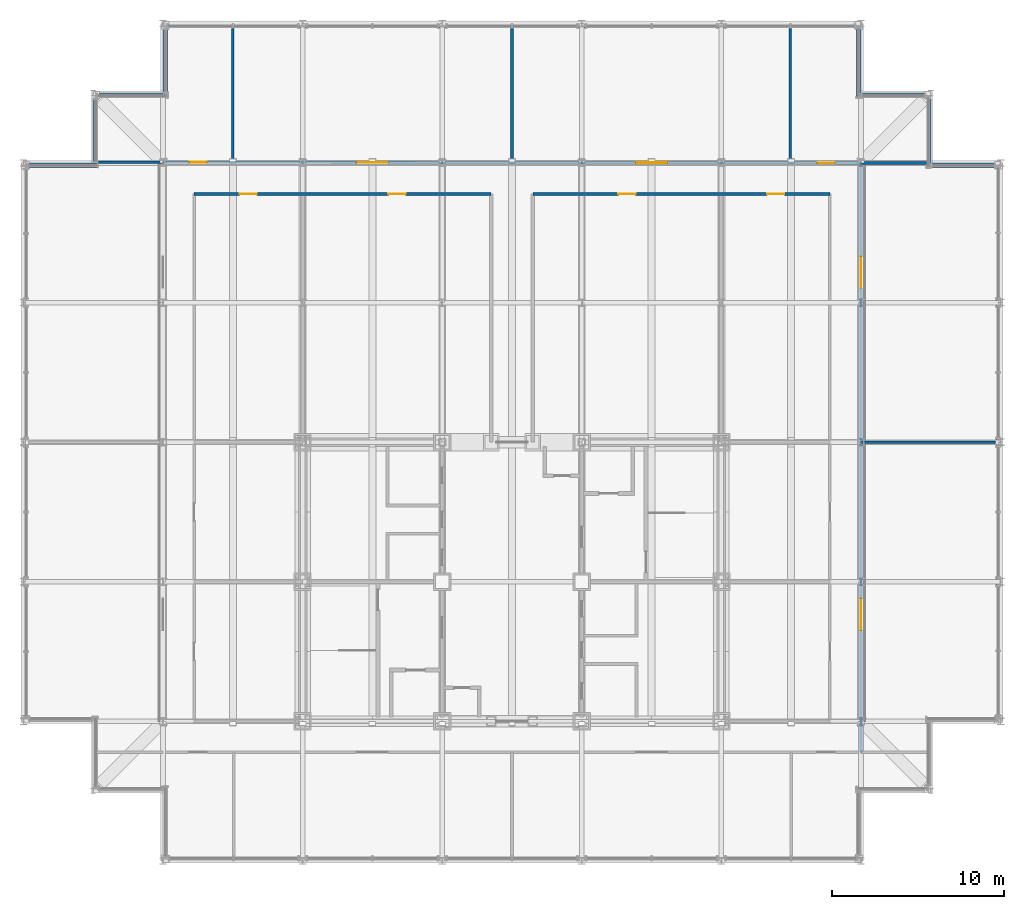
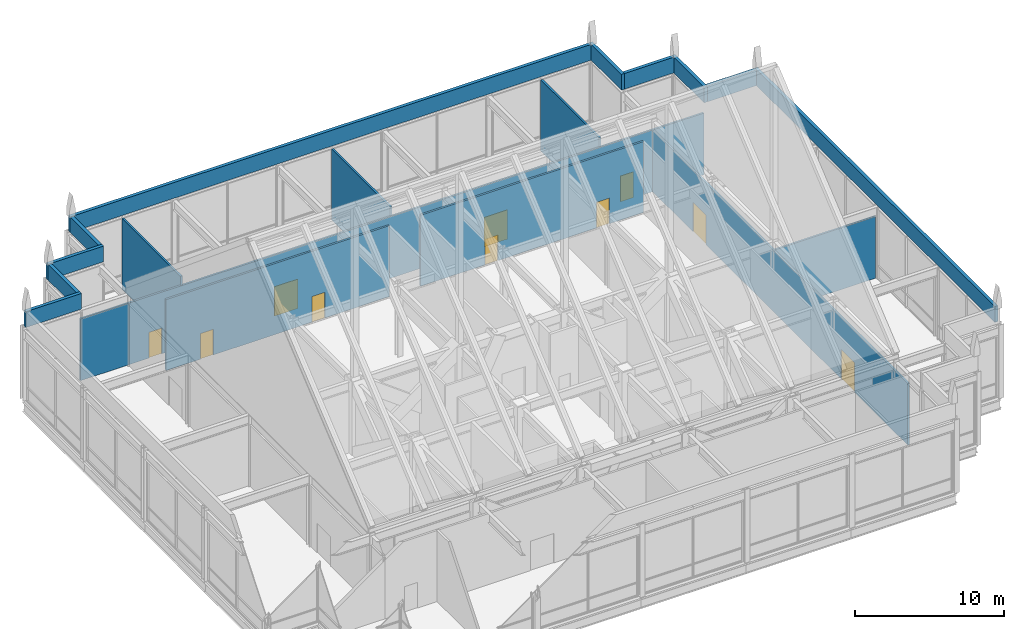
# One storey, part 21 of 22: 20 walls, 10 doors, 10 openings.
"""IFC4 building model written with IfcOpenShell, lengths in metres."""

from ifc_helpers import new_model, si_unit, direction, frame, frame_2d, origin, place, context, subcontext, project, spatial, rectangle, extrude, material, layer, layer_set, type_object, element, fill, save


model = new_model("IFC4")

# Units and contexts
model_context = context("Model", 3, precision=1e-05, world=origin(), true_north=direction((0.0, 1.0)))
body_context = subcontext(model_context, "Body", "Model", "MODEL_VIEW")
ifc_project = project(units=[si_unit("LENGTHUNIT", "METRE"), si_unit("AREAUNIT", "SQUARE_METRE"), si_unit("VOLUMEUNIT", "CUBIC_METRE"), si_unit("PLANEANGLEUNIT", "RADIAN"), si_unit("MASSUNIT", "GRAM", prefix="KILO")], contexts=[model_context])

# Site, building, storey
site_placement = place(None, origin())
site = spatial("IfcSite", under=ifc_project, at=site_placement, CompositionType="ELEMENT")
building_placement = place(site_placement, origin())
building = spatial("IfcBuilding", under=site, at=building_placement, Name="Kopane Lantern Tower", CompositionType="ELEMENT")
storey_placement = place(building_placement, frame((0.0, 0.0, 303.89990234375)))
storey = spatial("IfcBuildingStorey", under=building, at=storey_placement, Name="L77", CompositionType="ELEMENT", Elevation=303.89990234375)

# Wall, openings, doors
ifc_material_1 = material(Name="Gypsum board on steel studs", Category="steel")
ifc_layer_1 = layer(ifc_material_1, 0.14990234375)
ifc_layer_set_1 = layer_set([ifc_layer_1], Name="CORRIDOR WALL 150 EI 60")
wall_type_1 = type_object("IfcWallType", Name="CORRIDOR WALL 150 EI 60", PredefinedType="PARTITIONING", material=ifc_layer_set_1)
wall_1_placement = place(storey_placement, frame((8.10009765625, 56.739990234375, 0.0), z_axis=(0.0, 0.0, 1.0), x_axis=(0.999999511317, -0.000988618344, 0.0)))
wall_1 = element("IfcWall", 1, at=wall_1_placement, inside=storey, type_object=wall_type_1, Name="Corridor Wall 150 Ei 60 L77", PredefinedType="PARTITIONING", context=body_context, shape_type="SweptSolid", body=[
    extrude(rectangle(XDim=40.5, YDim=0.14990234375, at=frame_2d((20.25, 0.0))), origin(), (0.0, 0.0, 1.0), 5.037841796875),
])
opening_1_placement = place(wall_1_placement, frame((11.25, 0.0, 0.0)))
opening_1 = element("IfcOpeningElement", 2, at=opening_1_placement, cuts=wall_1, Name="Opening L77-011", PredefinedType="OPENING", context=body_context, shape_type="SweptSolid", body=[
    extrude(rectangle(XDim=1.800048828125, YDim=2.39990234375, at=frame_2d((0.89990234375, 1.199951171875))), frame((0.0, 0.0849609375, 0.0), z_axis=(0.0, -1.0, 0.0), x_axis=(1.0, 0.0, 0.0)), (0.0, 0.0, 1.0), 0.169921875),
])
opening_2_placement = place(wall_1_placement, frame((27.449951171875, 0.0, 0.0)))
opening_2 = element("IfcOpeningElement", 3, at=opening_2_placement, cuts=wall_1, Name="Opening L77-012", PredefinedType="OPENING", context=body_context, shape_type="SweptSolid", body=[
    extrude(rectangle(XDim=1.800048828125, YDim=2.39990234375, at=frame_2d((0.89990234375, 1.199951171875))), frame((0.0, 0.0849609375, 0.0), z_axis=(0.0, -1.0, 0.0), x_axis=(1.0, 0.0, 0.0)), (0.0, 0.0, 1.0), 0.169921875),
])
opening_3_placement = place(wall_1_placement, frame((37.97509765625, 0.0, 0.0)))
opening_3 = element("IfcOpeningElement", 4, at=opening_3_placement, cuts=wall_1, Name="Opening L77-019", PredefinedType="OPENING", context=body_context, shape_type="SweptSolid", body=[
    extrude(rectangle(XDim=1.0, YDim=2.10009765625, at=frame_2d((0.5, 1.050048828125))), frame((0.0, 0.0849609375, 0.0), z_axis=(0.0, -1.0, 0.0), x_axis=(1.0, 0.0, 0.0)), (0.0, 0.0, 1.0), 0.169921875),
])
opening_4_placement = place(wall_1_placement, frame((1.52490234375, 0.0, 0.0)))
opening_4 = element("IfcOpeningElement", 5, at=opening_4_placement, cuts=wall_1, Name="Opening L77-020", PredefinedType="OPENING", context=body_context, shape_type="SweptSolid", body=[
    extrude(rectangle(XDim=1.0, YDim=2.10009765625, at=frame_2d((0.5, 1.050048828125))), frame((0.0, 0.0849609375, 0.0), z_axis=(0.0, -1.0, 0.0), x_axis=(1.0, 0.0, 0.0)), (0.0, 0.0, 1.0), 0.169921875),
])
ifc_material_2 = material(Name="Steel door set", Category="steel")
door_type_1 = type_object("IfcDoorType", Name="DOOR D5 1000x2100 FD60", OperationType="SINGLE_SWING_LEFT", PredefinedType="DOOR", material=ifc_material_2)
door_1_placement = place(opening_3_placement, origin())
door_1 = element("IfcDoor", 6, at=door_1_placement, inside=storey, type_object=door_type_1, Name="Door L77-019", OperationType="SINGLE_SWING_LEFT", OverallHeight=2.10009765625, OverallWidth=1.0, PredefinedType="DOOR", context=body_context, shape_type="SweptSolid", body=[
    extrude(rectangle(XDim=1.0, YDim=2.10009765625, at=frame_2d((0.5, 1.050048828125))), frame((0.0, 0.02490234375, 0.0), z_axis=(0.0, -1.0, 0.0), x_axis=(1.0, 0.0, 0.0)), (0.0, 0.0, 1.0), 0.050048828125),
])
fill(opening_3, door_1)
door_2_placement = place(opening_4_placement, origin())
door_2 = element("IfcDoor", 7, at=door_2_placement, inside=storey, type_object=door_type_1, Name="Door L77-020", OperationType="SINGLE_SWING_RIGHT", OverallHeight=2.10009765625, OverallWidth=1.0, PredefinedType="DOOR", context=body_context, shape_type="SweptSolid", body=[
    extrude(rectangle(XDim=1.0, YDim=2.10009765625, at=frame_2d((0.5, 1.050048828125))), frame((0.0, 0.02490234375, 0.0), z_axis=(0.0, -1.0, 0.0), x_axis=(1.0, 0.0, 0.0)), (0.0, 0.0, 1.0), 0.050048828125),
])
fill(opening_4, door_2)
ifc_material_3 = material(Name="Steel door set", Category="steel")
door_type_2 = type_object("IfcDoorType", Name="DOOR D8 1800x2400 FD120", OperationType="SINGLE_SWING_LEFT", PredefinedType="DOOR", material=ifc_material_3)
door_3_placement = place(opening_1_placement, origin())
door_3 = element("IfcDoor", 8, at=door_3_placement, inside=storey, type_object=door_type_2, Name="Door L77-011", OperationType="DOUBLE_DOOR_SINGLE_SWING", OverallHeight=2.39990234375, OverallWidth=1.800048828125, PredefinedType="DOOR", context=body_context, shape_type="SweptSolid", body=[
    extrude(rectangle(XDim=1.800048828125, YDim=2.39990234375, at=frame_2d((0.89990234375, 1.199951171875))), frame((0.0, 0.02490234375, 0.0), z_axis=(0.0, -1.0, 0.0), x_axis=(1.0, 0.0, 0.0)), (0.0, 0.0, 1.0), 0.050048828125),
])
fill(opening_1, door_3)
door_4_placement = place(opening_2_placement, origin())
door_4 = element("IfcDoor", 9, at=door_4_placement, inside=storey, type_object=door_type_2, Name="Door L77-012", OperationType="DOUBLE_DOOR_SINGLE_SWING", OverallHeight=2.39990234375, OverallWidth=1.800048828125, PredefinedType="DOOR", context=body_context, shape_type="SweptSolid", body=[
    extrude(rectangle(XDim=1.800048828125, YDim=2.39990234375, at=frame_2d((0.89990234375, 1.199951171875))), frame((0.0, 0.02490234375, 0.0), z_axis=(0.0, -1.0, 0.0), x_axis=(1.0, 0.0, 0.0)), (0.0, 0.0, 1.0), 0.050048828125),
])
fill(opening_2, door_4)

wall_2_placement = place(storey_placement, frame((48.60009765625, 22.5, 0.0), z_axis=(0.0, 0.0, 1.0), x_axis=(0.0, 1.0, 0.0)))
wall_2 = element("IfcWall", 10, at=wall_2_placement, inside=storey, type_object=wall_type_1, Name="Corridor Wall 150 Ei 60 L77", PredefinedType="PARTITIONING", context=body_context, shape_type="SweptSolid", body=[
    extrude(rectangle(XDim=34.199951171875, YDim=0.14990234375, at=frame_2d((17.10009765625, 0.0))), origin(), (0.0, 0.0, 1.0), 5.037841796875),
])
opening_5_placement = place(wall_2_placement, frame((7.10009765625, 0.0, 0.0)))
opening_5 = element("IfcOpeningElement", 11, at=opening_5_placement, cuts=wall_2, Name="Opening L77-015", PredefinedType="OPENING", context=body_context, shape_type="SweptSolid", body=[
    extrude(rectangle(XDim=1.800048828125, YDim=2.39990234375, at=frame_2d((0.89990234375, 1.199951171875))), frame((0.0, 0.0849609375, 0.0), z_axis=(0.0, -1.0, 0.0), x_axis=(1.0, 0.0, 0.0)), (0.0, 0.0, 1.0), 0.169921875),
])
opening_6_placement = place(wall_2_placement, frame((26.949951171875, 0.0, 0.0)))
opening_6 = element("IfcOpeningElement", 12, at=opening_6_placement, cuts=wall_2, Name="Opening L77-016", PredefinedType="OPENING", context=body_context, shape_type="SweptSolid", body=[
    extrude(rectangle(XDim=1.800048828125, YDim=2.39990234375, at=frame_2d((0.89990234375, 1.199951171875))), frame((0.0, 0.0849609375, 0.0), z_axis=(0.0, -1.0, 0.0), x_axis=(1.0, 0.0, 0.0)), (0.0, 0.0, 1.0), 0.169921875),
])
door_5_placement = place(opening_5_placement, origin())
door_5 = element("IfcDoor", 13, at=door_5_placement, inside=storey, type_object=door_type_2, Name="Door L77-015", OperationType="DOUBLE_DOOR_SINGLE_SWING", OverallHeight=2.39990234375, OverallWidth=1.800048828125, PredefinedType="DOOR", context=body_context, shape_type="SweptSolid", body=[
    extrude(rectangle(XDim=1.800048828125, YDim=2.39990234375, at=frame_2d((0.89990234375, 1.199951171875))), frame((0.0, 0.02490234375, 0.0), z_axis=(0.0, -1.0, 0.0), x_axis=(1.0, 0.0, 0.0)), (0.0, 0.0, 1.0), 0.050048828125),
])
fill(opening_5, door_5)
door_6_placement = place(opening_6_placement, origin())
door_6 = element("IfcDoor", 14, at=door_6_placement, inside=storey, type_object=door_type_2, Name="Door L77-016", OperationType="DOUBLE_DOOR_SINGLE_SWING", OverallHeight=2.39990234375, OverallWidth=1.800048828125, PredefinedType="DOOR", context=body_context, shape_type="SweptSolid", body=[
    extrude(rectangle(XDim=1.800048828125, YDim=2.39990234375, at=frame_2d((0.89990234375, 1.199951171875))), frame((0.0, 0.02490234375, 0.0), z_axis=(0.0, -1.0, 0.0), x_axis=(1.0, 0.0, 0.0)), (0.0, 0.0, 1.0), 0.050048828125),
])
fill(opening_6, door_6)

wall_3_placement = place(storey_placement, frame((46.800048828125, 54.89990234375, 0.0), z_axis=(0.0, 0.0, 1.0), x_axis=(-1.0, 0.0, 0.0)))
wall_3 = element("IfcWall", 15, at=wall_3_placement, inside=storey, type_object=wall_type_1, Name="Corridor Wall 150 Ei 60 L77", PredefinedType="PARTITIONING", context=body_context, shape_type="SweptSolid", body=[
    extrude(rectangle(XDim=17.239990234375, YDim=0.14990234375, at=frame_2d((8.6201171875, 0.0))), origin(), (0.0, 0.0, 1.0), 5.800048828125),
])
opening_7_placement = place(wall_3_placement, frame((11.27490234375, 0.0, 0.0)))
opening_7 = element("IfcOpeningElement", 16, at=opening_7_placement, cuts=wall_3, Name="Opening L77-007", PredefinedType="OPENING", context=body_context, shape_type="SweptSolid", body=[
    extrude(rectangle(XDim=1.0, YDim=2.10009765625, at=frame_2d((0.5, 1.050048828125))), frame((0.0, 0.0849609375, 0.0), z_axis=(0.0, -1.0, 0.0), x_axis=(1.0, 0.0, 0.0)), (0.0, 0.0, 1.0), 0.169921875),
])
opening_8_placement = place(wall_3_placement, frame((2.64990234375, 0.0, 0.0)))
opening_8 = element("IfcOpeningElement", 17, at=opening_8_placement, cuts=wall_3, Name="Opening L77-008", PredefinedType="OPENING", context=body_context, shape_type="SweptSolid", body=[
    extrude(rectangle(XDim=1.0, YDim=2.10009765625, at=frame_2d((0.5, 1.050048828125))), frame((0.0, 0.0849609375, 0.0), z_axis=(0.0, -1.0, 0.0), x_axis=(1.0, 0.0, 0.0)), (0.0, 0.0, 1.0), 0.169921875),
])
door_7_placement = place(opening_7_placement, origin())
door_7 = element("IfcDoor", 18, at=door_7_placement, inside=storey, type_object=door_type_1, Name="Door L77-007", OperationType="SINGLE_SWING_RIGHT", OverallHeight=2.10009765625, OverallWidth=1.0, PredefinedType="DOOR", context=body_context, shape_type="SweptSolid", body=[
    extrude(rectangle(XDim=1.0, YDim=2.10009765625, at=frame_2d((0.5, 1.050048828125))), frame((0.0, 0.02490234375, 0.0), z_axis=(0.0, -1.0, 0.0), x_axis=(1.0, 0.0, 0.0)), (0.0, 0.0, 1.0), 0.050048828125),
])
fill(opening_7, door_7)
door_8_placement = place(opening_8_placement, origin())
door_8 = element("IfcDoor", 19, at=door_8_placement, inside=storey, type_object=door_type_1, Name="Door L77-008", OperationType="SINGLE_SWING_LEFT", OverallHeight=2.10009765625, OverallWidth=1.0, PredefinedType="DOOR", context=body_context, shape_type="SweptSolid", body=[
    extrude(rectangle(XDim=1.0, YDim=2.10009765625, at=frame_2d((0.5, 1.050048828125))), frame((0.0, 0.02490234375, 0.0), z_axis=(0.0, -1.0, 0.0), x_axis=(1.0, 0.0, 0.0)), (0.0, 0.0, 1.0), 0.050048828125),
])
fill(opening_8, door_8)

wall_4_placement = place(storey_placement, frame((27.139892578125, 54.89990234375, 0.0), z_axis=(0.0, 0.0, 1.0), x_axis=(-1.0, 0.0, 0.0)))
wall_4 = element("IfcWall", 20, at=wall_4_placement, inside=storey, type_object=wall_type_1, Name="Corridor Wall 150 Ei 60 L77", PredefinedType="PARTITIONING", context=body_context, shape_type="SweptSolid", body=[
    extrude(rectangle(XDim=17.239990234375, YDim=0.14990234375, at=frame_2d((8.6201171875, 0.0))), origin(), (0.0, 0.0, 1.0), 5.800048828125),
])
opening_9_placement = place(wall_4_placement, frame((13.590087890625, 0.0, 0.0)))
opening_9 = element("IfcOpeningElement", 21, at=opening_9_placement, cuts=wall_4, Name="Opening L77-005", PredefinedType="OPENING", context=body_context, shape_type="SweptSolid", body=[
    extrude(rectangle(XDim=1.0, YDim=2.10009765625, at=frame_2d((0.5, 1.050048828125))), frame((0.0, 0.0849609375, 0.0), z_axis=(0.0, -1.0, 0.0), x_axis=(1.0, 0.0, 0.0)), (0.0, 0.0, 1.0), 0.169921875),
])
opening_10_placement = place(wall_4_placement, frame((4.965087890625, 0.0, 0.0)))
opening_10 = element("IfcOpeningElement", 22, at=opening_10_placement, cuts=wall_4, Name="Opening L77-006", PredefinedType="OPENING", context=body_context, shape_type="SweptSolid", body=[
    extrude(rectangle(XDim=1.0, YDim=2.10009765625, at=frame_2d((0.5, 1.050048828125))), frame((0.0, 0.0849609375, 0.0), z_axis=(0.0, -1.0, 0.0), x_axis=(1.0, 0.0, 0.0)), (0.0, 0.0, 1.0), 0.169921875),
])
door_9_placement = place(opening_9_placement, origin())
door_9 = element("IfcDoor", 23, at=door_9_placement, inside=storey, type_object=door_type_1, Name="Door L77-005", OperationType="SINGLE_SWING_RIGHT", OverallHeight=2.10009765625, OverallWidth=1.0, PredefinedType="DOOR", context=body_context, shape_type="SweptSolid", body=[
    extrude(rectangle(XDim=1.0, YDim=2.10009765625, at=frame_2d((0.5, 1.050048828125))), frame((0.0, 0.02490234375, 0.0), z_axis=(0.0, -1.0, 0.0), x_axis=(1.0, 0.0, 0.0)), (0.0, 0.0, 1.0), 0.050048828125),
])
fill(opening_9, door_9)
door_10_placement = place(opening_10_placement, origin())
door_10 = element("IfcDoor", 24, at=door_10_placement, inside=storey, type_object=door_type_1, Name="Door L77-006", OperationType="SINGLE_SWING_LEFT", OverallHeight=2.10009765625, OverallWidth=1.0, PredefinedType="DOOR", context=body_context, shape_type="SweptSolid", body=[
    extrude(rectangle(XDim=1.0, YDim=2.10009765625, at=frame_2d((0.5, 1.050048828125))), frame((0.0, 0.02490234375, 0.0), z_axis=(0.0, -1.0, 0.0), x_axis=(1.0, 0.0, 0.0)), (0.0, 0.0, 1.0), 0.050048828125),
])
fill(opening_10, door_10)

# Walls
ifc_material_4 = material(Name="Gypsum board on steel studs", Category="steel")
ifc_layer_2 = layer(ifc_material_4, 0.14990234375)
ifc_layer_set_2 = layer_set([ifc_layer_2], Name="DEMISING WALL 150 EI 60")
wall_type_2 = type_object("IfcWallType", Name="DEMISING WALL 150 EI 60", PredefinedType="PARTITIONING", material=ifc_layer_set_2)
wall_5_placement = place(storey_placement, frame((28.35009765625, 56.699951171875, 0.0), z_axis=(0.0, 0.0, 1.0), x_axis=(0.0, 1.0, 0.0)))
element("IfcWall", 25, at=wall_5_placement, inside=storey, type_object=wall_type_2, Name="Demising Wall 150 Ei 60 L77", PredefinedType="PARTITIONING", context=body_context, shape_type="SweptSolid", body=[
    extrude(rectangle(XDim=7.80712890625, YDim=0.14990234375, at=frame_2d((3.903564453125, 0.0))), origin(), (0.0, 0.0, 1.0), 5.800048828125),
])
wall_6_placement = place(storey_placement, frame((48.60009765625, 40.5, 0.0), z_axis=(0.0, 0.0, 1.0), x_axis=(1.0, 0.0, 0.0)))
element("IfcWall", 26, at=wall_6_placement, inside=storey, type_object=wall_type_2, Name="Demising Wall 150 Ei 60 L77", PredefinedType="PARTITIONING", context=body_context, shape_type="SweptSolid", body=[
    extrude(rectangle(XDim=7.7998046875, YDim=0.14990234375, at=frame_2d((3.89990234375, 0.0))), origin(), (0.0, 0.0, 1.0), 5.037841796875),
])
wall_7_placement = place(storey_placement, frame((48.60009765625, 56.699951171875, 0.0), z_axis=(0.0, 0.0, 1.0), x_axis=(1.0, 0.0, 0.0)))
element("IfcWall", 27, at=wall_7_placement, inside=storey, type_object=wall_type_2, Name="Demising Wall 150 Ei 60 L77", PredefinedType="PARTITIONING", context=body_context, shape_type="SweptSolid", body=[
    extrude(rectangle(XDim=3.876953125, YDim=0.14990234375, at=frame_2d((1.9384765625, 0.0))), origin(), (0.0, 0.0, 1.0), 5.037841796875),
])
wall_8_placement = place(storey_placement, frame((44.502197265625, 56.699951171875, 0.0), z_axis=(0.0, 0.0, 1.0), x_axis=(0.0, 1.0, 0.0)))
element("IfcWall", 28, at=wall_8_placement, inside=storey, type_object=wall_type_2, Name="Demising Wall 150 Ei 60 L77", PredefinedType="PARTITIONING", context=body_context, shape_type="SweptSolid", body=[
    extrude(rectangle(XDim=7.80712890625, YDim=0.14990234375, at=frame_2d((3.903564453125, 0.0))), origin(), (0.0, 0.0, 1.0), 5.800048828125),
])
wall_9_placement = place(storey_placement, frame((4.343017578125, 56.739990234375, 0.0), z_axis=(0.0, 0.0, 1.0), x_axis=(1.0, 0.0, 0.0)))
element("IfcWall", 29, at=wall_9_placement, inside=storey, type_object=wall_type_2, Name="Demising Wall 150 Ei 60 L77", PredefinedType="PARTITIONING", context=body_context, shape_type="SweptSolid", body=[
    extrude(rectangle(XDim=3.757080078125, YDim=0.14990234375, at=frame_2d((1.87841796875, 0.0))), origin(), (0.0, 0.0, 1.0), 5.037841796875),
])
wall_10_placement = place(storey_placement, frame((12.14990234375, 56.699951171875, 0.0), z_axis=(0.0, 0.0, 1.0), x_axis=(0.0, 1.0, 0.0)))
element("IfcWall", 30, at=wall_10_placement, inside=storey, type_object=wall_type_2, Name="Demising Wall 150 Ei 60 L77", PredefinedType="PARTITIONING", context=body_context, shape_type="SweptSolid", body=[
    extrude(rectangle(XDim=7.80712890625, YDim=0.14990234375, at=frame_2d((3.903564453125, 0.0))), origin(), (0.0, 0.0, 1.0), 5.800048828125),
])
ifc_material_5 = material(Name="Terracotta rainscreen on light steel framing", Category="masonry")
ifc_layer_3 = layer(ifc_material_5, 0.25)
ifc_layer_set_3 = layer_set([ifc_layer_3], Name="PARAPET PW1 250 TERRACOTTA")
wall_type_3 = type_object("IfcWallType", Name="PARAPET PW1 250 TERRACOTTA", PredefinedType="PARAPET", material=ifc_layer_set_3)
wall_11_placement = place(storey_placement, frame((56.574951171875, 24.550048828125, 6.0), z_axis=(0.0, 0.0, 1.0), x_axis=(0.0, 1.0, 0.0)))
element("IfcWall", 31, at=wall_11_placement, inside=storey, type_object=wall_type_3, Name="Parapet L77", PredefinedType="PARAPET", context=body_context, shape_type="SweptSolid", body=[
    extrude(rectangle(XDim=32.14990234375, YDim=0.25, at=frame_2d((16.074951171875, 0.0))), origin(), (0.0, 0.0, 1.0), 1.28515625),
])
wall_12_placement = place(storey_placement, frame((56.449951171875, 56.574951171875, 6.0), z_axis=(0.0, 0.0, 1.0), x_axis=(-1.0, 0.0, 0.0)))
element("IfcWall", 32, at=wall_12_placement, inside=storey, type_object=wall_type_3, Name="Parapet L77", PredefinedType="PARAPET", context=body_context, shape_type="SweptSolid", body=[
    extrude(rectangle(XDim=3.800048828125, YDim=0.25, at=frame_2d((1.89990234375, 0.0))), origin(), (0.0, 0.0, 1.0), 1.28515625),
])
wall_13_placement = place(storey_placement, frame((52.52490234375, 56.449951171875, 6.0), z_axis=(0.0, 0.0, 1.0), x_axis=(0.0, 1.0, 0.0)))
element("IfcWall", 33, at=wall_13_placement, inside=storey, type_object=wall_type_3, Name="Parapet L77", PredefinedType="PARAPET", context=body_context, shape_type="SweptSolid", body=[
    extrude(rectangle(XDim=4.300048828125, YDim=0.25, at=frame_2d((2.14990234375, 0.0))), origin(), (0.0, 0.0, 1.0), 1.28515625),
])
wall_14_placement = place(storey_placement, frame((52.39990234375, 60.625, 6.0), z_axis=(0.0, 0.0, 1.0), x_axis=(-1.0, 0.0, 0.0)))
element("IfcWall", 34, at=wall_14_placement, inside=storey, type_object=wall_type_3, Name="Parapet L77", PredefinedType="PARAPET", context=body_context, shape_type="SweptSolid", body=[
    extrude(rectangle(XDim=3.7998046875, YDim=0.25, at=frame_2d((1.89990234375, 0.0))), origin(), (0.0, 0.0, 1.0), 1.28515625),
])
wall_15_placement = place(storey_placement, frame((48.47509765625, 60.5, 6.0), z_axis=(0.0, 0.0, 1.0), x_axis=(0.0, 1.0, 0.0)))
element("IfcWall", 35, at=wall_15_placement, inside=storey, type_object=wall_type_3, Name="Parapet L77", PredefinedType="PARAPET", context=body_context, shape_type="SweptSolid", body=[
    extrude(rectangle(XDim=4.300048828125, YDim=0.25, at=frame_2d((2.14990234375, 0.0))), origin(), (0.0, 0.0, 1.0), 1.28515625),
])
wall_16_placement = place(storey_placement, frame((48.35009765625, 64.675048828125, 6.0), z_axis=(0.0, 0.0, 1.0), x_axis=(-1.0, 0.0, 0.0)))
element("IfcWall", 36, at=wall_16_placement, inside=storey, type_object=wall_type_3, Name="Parapet L77", PredefinedType="PARAPET", context=body_context, shape_type="SweptSolid", body=[
    extrude(rectangle(XDim=40.25, YDim=0.25, at=frame_2d((20.125, 0.0))), origin(), (0.0, 0.0, 1.0), 1.28515625),
])
wall_17_placement = place(storey_placement, frame((8.22509765625, 64.550048828125, 6.0), z_axis=(0.0, 0.0, 1.0), x_axis=(0.0, -1.0, 0.0)))
element("IfcWall", 37, at=wall_17_placement, inside=storey, type_object=wall_type_3, Name="Parapet L77", PredefinedType="PARAPET", context=body_context, shape_type="SweptSolid", body=[
    extrude(rectangle(XDim=3.800048828125, YDim=0.25, at=frame_2d((1.89990234375, 0.0))), origin(), (0.0, 0.0, 1.0), 1.28515625),
])
wall_18_placement = place(storey_placement, frame((8.35009765625, 60.625, 6.0), z_axis=(0.0, 0.0, 1.0), x_axis=(-1.0, 0.0, 0.0)))
element("IfcWall", 38, at=wall_18_placement, inside=storey, type_object=wall_type_3, Name="Parapet L77", PredefinedType="PARAPET", context=body_context, shape_type="SweptSolid", body=[
    extrude(rectangle(XDim=4.300048828125, YDim=0.25, at=frame_2d((2.14990234375, 0.0))), origin(), (0.0, 0.0, 1.0), 1.28515625),
])
wall_19_placement = place(storey_placement, frame((4.175048828125, 60.5, 6.0), z_axis=(0.0, 0.0, 1.0), x_axis=(0.0, -1.0, 0.0)))
element("IfcWall", 39, at=wall_19_placement, inside=storey, type_object=wall_type_3, Name="Parapet L77", PredefinedType="PARAPET", context=body_context, shape_type="SweptSolid", body=[
    extrude(rectangle(XDim=3.800048828125, YDim=0.25, at=frame_2d((1.89990234375, 0.0))), origin(), (0.0, 0.0, 1.0), 1.28515625),
])
wall_20_placement = place(storey_placement, frame((4.300048828125, 56.574951171875, 6.0), z_axis=(0.0, 0.0, 1.0), x_axis=(-1.0, 0.0, 0.0)))
element("IfcWall", 40, at=wall_20_placement, inside=storey, type_object=wall_type_3, Name="Parapet L77", PredefinedType="PARAPET", context=body_context, shape_type="SweptSolid", body=[
    extrude(rectangle(XDim=4.300048828125, YDim=0.25, at=frame_2d((2.14990234375, 0.0))), origin(), (0.0, 0.0, 1.0), 1.28515625),
])

save(model, "model.ifc")
